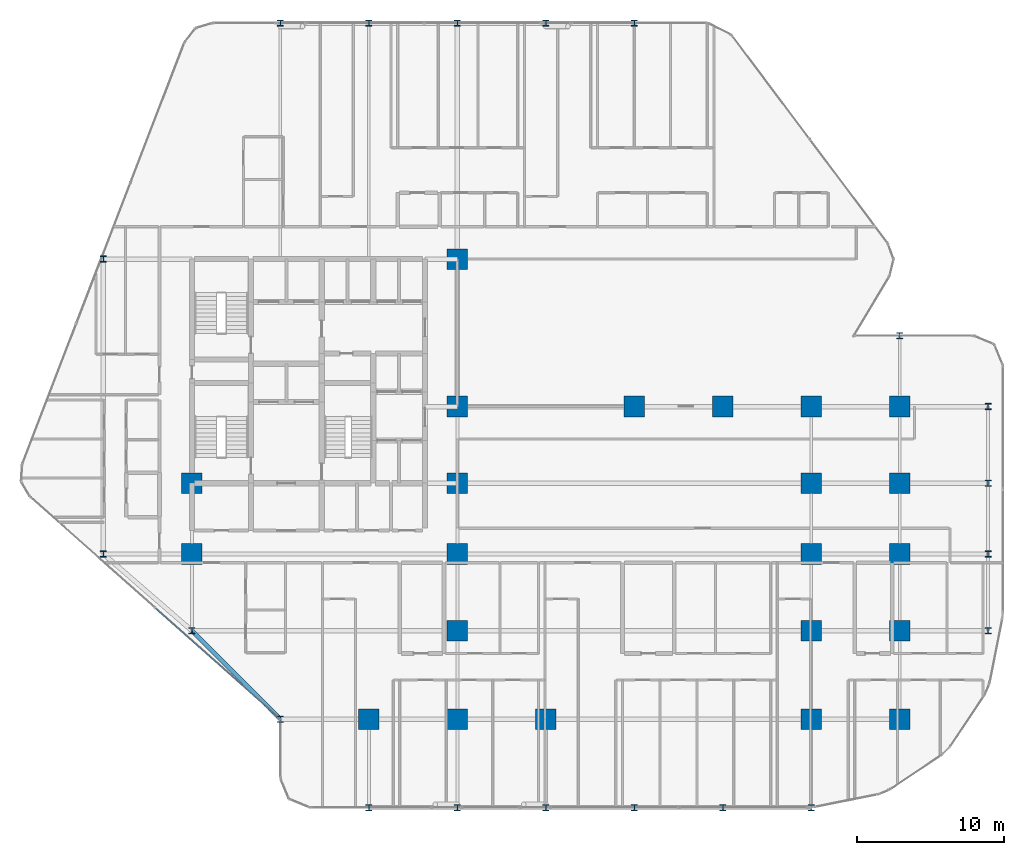
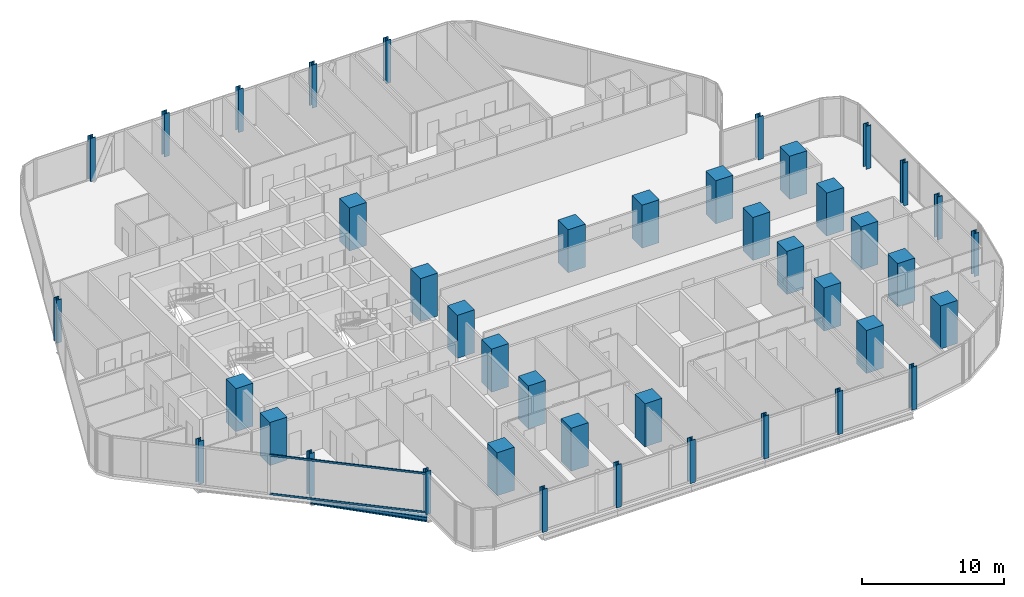
# One storey, part 1 of 33: 42 columns, 2 members, 1 beam, 1 element without a shape of its own.
"""IFC4 building model written with IfcOpenShell, lengths in metres."""

import ifcopenshell
import ifcopenshell.guid

model = None  # the IFC model being written
_history = None  # IfcOwnerHistory: only IFC2X3 demands one
_inside = {}  # id of a spatial element -> (the spatial element, [elements in it])
_under = {}  # id of a project, library or spatial element -> (it, [spatial elements below it])
_declared = {}  # id of a project -> (the project, [libraries it declares])
_typed = {}  # id of a type object -> (the type object, [elements of that type])
_made_of = {}  # id of a material, layer set ... -> (it, [elements and type objects made of it])


def new_model(schema):
    """Start an empty IFC model of exactly this schema.

    Asked for "IFC4X3", IfcOpenShell would pick the latest addendum, in which some entities
    have other attributes; the version numbers below select the first issue.
    IFC2X3 requires an IfcOwnerHistory on every rooted entity: one is made here for all.
    """
    global model, _history
    if schema == "IFC4X3":
        model = ifcopenshell.file(schema_version=(4, 3, 0, 0))
    else:
        model = ifcopenshell.file(schema=schema)
    _inside.clear()
    _under.clear()
    _declared.clear()
    _typed.clear()
    _made_of.clear()
    _history = None
    if model.schema == "IFC2X3":
        org = make("IfcOrganization", Name="unknown")
        user = make(
            "IfcPersonAndOrganization",
            ThePerson=make("IfcPerson", FamilyName="unknown"),
            TheOrganization=org,
        )
        app = make(
            "IfcApplication",
            ApplicationDeveloper=org,
            Version="unknown",
            ApplicationFullName="unknown",
            ApplicationIdentifier="unknown",
        )
        _history = make(
            "IfcOwnerHistory",
            OwningUser=user,
            OwningApplication=app,
            ChangeAction="ADDED",
            CreationDate=0,
        )
    return model


def make(cls, **values):
    """One entity of the class cls with the attributes given. An attribute that is None is left unset."""
    return model.create_entity(
        cls, **{name: value for name, value in values.items() if value is not None}
    )


def rooted(cls, **values):
    """An entity with a GlobalId (a new one), such as an element, a storey or a relation."""
    return make(cls, GlobalId=ifcopenshell.guid.new(), OwnerHistory=_history, **values)


def si_unit(unit_type, name, prefix=None):
    """IfcSIUnit, for example si_unit("LENGTHUNIT", "METRE", prefix="MILLI")."""
    return make("IfcSIUnit", UnitType=unit_type, Prefix=prefix, Name=name)


def assignment(units):
    """IfcUnitAssignment: the units of a project."""
    return None if units is None else make("IfcUnitAssignment", Units=units)


def point(xyz):
    """IfcCartesianPoint."""
    return None if xyz is None else make("IfcCartesianPoint", Coordinates=xyz)


def direction(xyz):
    """IfcDirection."""
    return None if xyz is None else make("IfcDirection", DirectionRatios=xyz)


def frame(location, z_axis=None, x_axis=None):
    """IfcAxis2Placement3D, a coordinate frame: its origin and axes. An axis left out is left unset."""
    return make(
        "IfcAxis2Placement3D",
        Location=point(location),
        Axis=direction(z_axis),
        RefDirection=direction(x_axis),
    )


def frame_2d(location, x_axis=None):
    """IfcAxis2Placement2D, a coordinate frame in the plane: its origin and x axis."""
    return make(
        "IfcAxis2Placement2D", Location=point(location), RefDirection=direction(x_axis)
    )


def origin():
    """The frame at (0, 0, 0) with its axes left unset."""
    return frame((0.0, 0.0, 0.0))


def origin_2d():
    """The frame at (0, 0) in the plane with its x axis left unset."""
    return frame_2d((0.0, 0.0))


def place(relative_to, where):
    """IfcLocalPlacement: puts the frame where relative to a parent placement (None: the world)."""
    return make(
        "IfcLocalPlacement", PlacementRelTo=relative_to, RelativePlacement=where
    )


def context(
    kind, dimensions, precision=None, world=None, true_north=None, identifier=None
):
    """IfcGeometricRepresentationContext, for example the 3D "Model" context."""
    return make(
        "IfcGeometricRepresentationContext",
        ContextIdentifier=identifier,
        ContextType=kind,
        CoordinateSpaceDimension=dimensions,
        Precision=precision,
        WorldCoordinateSystem=world,
        TrueNorth=true_north,
    )


def subcontext(parent, identifier, kind, view, scale=None):
    """IfcGeometricRepresentationSubContext, for example "Body" below "Model"."""
    return make(
        "IfcGeometricRepresentationSubContext",
        ContextIdentifier=identifier,
        ContextType=kind,
        ParentContext=parent,
        TargetScale=scale,
        TargetView=view,
    )


def project(units=None, contexts=None):
    """IfcProject with its units and contexts."""
    return rooted(
        "IfcProject",
        Name="project",
        RepresentationContexts=contexts,
        UnitsInContext=assignment(units),
    )


def spatial(cls, under=None, at=None, **own):
    """A site, building, storey or space (cls), placed at a placement, below another one or the project."""
    s = rooted(cls, ObjectPlacement=at, **own)
    if under is not None:
        _under.setdefault(under.id(), (under, []))[1].append(s)
    return s


def profile(cls, at=None, kind="AREA", **sizes):
    """A parametric profile (cls). Its sizes go by their IFC names, for example OverallWidth=200.0."""
    return make(cls, ProfileType=kind, Position=at, **sizes)


def rectangle(**sizes):
    """IfcRectangleProfileDef."""
    return profile("IfcRectangleProfileDef", **sizes)


def hollow_rectangle(**sizes):
    """IfcRectangleHollowProfileDef."""
    return profile("IfcRectangleHollowProfileDef", **sizes)


def i_section(**sizes):
    """IfcIShapeProfileDef."""
    return profile("IfcIShapeProfileDef", **sizes)


def extrude(swept, where, along, depth):
    """IfcExtrudedAreaSolid: the profile swept, set in the frame where, extruded along a direction by depth."""
    return make(
        "IfcExtrudedAreaSolid",
        SweptArea=swept,
        Position=where,
        ExtrudedDirection=direction(along),
        Depth=depth,
    )


def shape(context_of_items, identifier, shape_type, items):
    """IfcShapeRepresentation: the items that make up one representation, for example the "Body"."""
    return make(
        "IfcShapeRepresentation",
        ContextOfItems=context_of_items,
        RepresentationIdentifier=identifier,
        RepresentationType=shape_type,
        Items=items,
    )


def material(Name=None, Category=None):
    """IfcMaterial."""
    return make("IfcMaterial", Name=Name, Category=Category)


def layer(
    of_material, thickness, ventilated=None, Name=None, Category=None, Priority=None
):
    """IfcMaterialLayer: one layer of a wall or slab, of a material (None: an air gap)."""
    return make(
        "IfcMaterialLayer",
        Material=of_material,
        LayerThickness=thickness,
        IsVentilated=ventilated,
        Name=Name,
        Category=Category,
        Priority=Priority,
    )


def layer_set(layers, Name=None):
    """IfcMaterialLayerSet."""
    return make("IfcMaterialLayerSet", MaterialLayers=layers, LayerSetName=Name)


def material_profile(
    of_material, cross_section, Name=None, Category=None, Priority=None
):
    """IfcMaterialProfile: a cross section and its material."""
    return make(
        "IfcMaterialProfile",
        Name=Name,
        Material=of_material,
        Profile=cross_section,
        Priority=Priority,
        Category=Category,
    )


def profile_set(profiles, Name=None, composite=None):
    """IfcMaterialProfileSet."""
    return make(
        "IfcMaterialProfileSet",
        Name=Name,
        MaterialProfiles=profiles,
        CompositeProfile=composite,
    )


def made_of(thing, what):
    """Note that an element or type object is made of a material, layer set ...; save() writes the relation."""
    if what is not None:
        _made_of.setdefault(what.id(), (what, []))[1].append(thing)
    return thing


def type_object(cls, material=None, **own):
    """A type object (cls), such as IfcWallType, which elements share."""
    return made_of(rooted(cls, **own), material)


def element(
    cls,
    number,
    at=None,
    inside=None,
    cuts=None,
    type_object=None,
    material=None,
    context=None,
    identifier="Body",
    shape_type=None,
    held_by="IfcProductDefinitionShape",
    body=None,
    shapes=None,
    **own,
):
    """One element of the class cls, such as IfcWall. Its Tag is "e" and its number.

    at: its placement. inside: the storey or other place that contains it. cuts: it is an
    opening in that element (IfcRelVoidsElement). A single representation is given by context,
    identifier, shape_type and body (its items); several are given by shapes. held_by: the class
    of the entity that holds the representations. save() writes the other relations.
    """
    e = rooted(cls, Tag="e%d" % number, ObjectPlacement=at, **own)
    if body is not None:
        shapes = [shape(context, identifier, shape_type, body)]
    if shapes is not None:
        e.Representation = make(held_by, Representations=shapes)
    if inside is not None:
        _inside.setdefault(inside.id(), (inside, []))[1].append(e)
    if cuts is not None:
        rooted(
            "IfcRelVoidsElement", RelatingBuildingElement=cuts, RelatedOpeningElement=e
        )
    if type_object is not None:
        _typed.setdefault(type_object.id(), (type_object, []))[1].append(e)
    return made_of(e, material)


def aggregate(whole, parts):
    """IfcRelAggregates: a whole, such as a stair, and the parts it consists of."""
    return rooted("IfcRelAggregates", RelatingObject=whole, RelatedObjects=parts)


def save(model, path):
    """Write the relations noted so far, then the file.

    IfcRelAggregates (storeys below a building ...), IfcRelContainedInSpatialStructure (elements
    in a storey), IfcRelDefinesByType, IfcRelAssociatesMaterial and IfcRelDeclares: one each for
    every whole, place, type object, material and project.
    """
    for whole, parts in _under.values():
        aggregate(whole, parts)
    for where, things in _inside.values():
        rooted(
            "IfcRelContainedInSpatialStructure",
            RelatedElements=things,
            RelatingStructure=where,
        )
    for kind, things in _typed.values():
        rooted("IfcRelDefinesByType", RelatedObjects=things, RelatingType=kind)
    for what, things in _made_of.values():
        rooted("IfcRelAssociatesMaterial", RelatedObjects=things, RelatingMaterial=what)
    for by, libraries in _declared.values():
        rooted("IfcRelDeclares", RelatingContext=by, RelatedDefinitions=libraries)
    model.write(path)


model = new_model("IFC4")

# Units and contexts
model_context = context("Model", 3, precision=1e-05, world=origin(), true_north=direction((0.0, 1.0)))
body_context = subcontext(model_context, "Body", "Model", "MODEL_VIEW")
ifc_project = project(units=[si_unit("LENGTHUNIT", "METRE"), si_unit("AREAUNIT", "SQUARE_METRE"), si_unit("VOLUMEUNIT", "CUBIC_METRE"), si_unit("PLANEANGLEUNIT", "RADIAN"), si_unit("MASSUNIT", "GRAM", prefix="KILO")], contexts=[model_context])

# Site, building, storey
site_placement = place(None, origin())
site = spatial("IfcSite", under=ifc_project, at=site_placement, CompositionType="ELEMENT")
building_placement = place(site_placement, origin())
building = spatial("IfcBuilding", under=site, at=building_placement, Name="Keshet Zoharim Tower", CompositionType="ELEMENT")
storey_placement = place(building_placement, frame((0.0, 0.0, 27.699951171875)))
storey = spatial("IfcBuildingStorey", under=building, at=storey_placement, Name="L05", CompositionType="ELEMENT", Elevation=27.699951171875)

# Columns
ifc_material_1 = material(Name="Steel S355", Category="steel")
ifc_material_profile_1 = material_profile(ifc_material_1, i_section(OverallWidth=0.408935546875, OverallDepth=0.425048828125, WebThickness=0.031982421875, FlangeThickness=0.052490234375, FilletRadius=0.014892578125, at=origin_2d()), Name="HD400x421")
ifc_profile_set_1 = profile_set([ifc_material_profile_1], Name="Steel S355")
column_type_1 = type_object("IfcColumnType", Name="COL-HD421", PredefinedType="COLUMN", material=ifc_profile_set_1)
for number, where, z_axis, x_axis, name in (
    (1, (9.0, 17.89990234375, 0.0), (0.0, 0.0, 1.0), (1.0, 0.0, 0.0), "L05 Column 2D"),
    (2, (9.0, 37.89990234375, 0.0), (0.0, 0.0, 1.0), (1.0, 0.0, 0.0), "L05 Column 2H"),
    (3, (15.0, 12.699951171875, 0.0), (0.0, 0.0, 1.0), (1.0, 0.0, 0.0), "L05 Column 3C"),
    (4, (21.0, 6.699951171875, 0.0), (0.0, 0.0, 1.0), (1.0, 0.0, 0.0), "L05 Column 4B"),
    (5, (21.0, 53.89990234375, 0.0), (0.0, 0.0, 1.0), (1.0, 0.0, 0.0), "L05 Column 4L"),
    (6, (27.0, 0.699951171875, 0.0), (0.0, 0.0, 1.0), (1.0, 0.0, 0.0), "L05 Column 5A"),
    (7, (27.0, 53.89990234375, 0.0), (0.0, 0.0, 1.0), (1.0, 0.0, 0.0), "L05 Column 5L"),
    (8, (33.0, 0.699951171875, 0.0), (0.0, 0.0, 1.0), (1.0, 0.0, 0.0), "L05 Column 6A"),
    (9, (33.0, 53.89990234375, 0.0), (0.0, 0.0, 1.0), (1.0, 0.0, 0.0), "L05 Column 6L"),
    (10, (39.0, 0.699951171875, 0.0), (0.0, 0.0, 1.0), (1.0, 0.0, 0.0), "L05 Column 7A"),
    (11, (39.0, 53.89990234375, 0.0), (0.0, 0.0, 1.0), (1.0, 0.0, 0.0), "L05 Column 7L"),
    (12, (45.0, 0.699951171875, 0.0), (0.0, 0.0, 1.0), (1.0, 0.0, 0.0), "L05 Column 8A"),
    (13, (45.0, 53.89990234375, 0.0), (0.0, 0.0, 1.0), (1.0, 0.0, 0.0), "L05 Column 8L"),
    (14, (51.0, 0.699951171875, 0.0), (0.0, 0.0, 1.0), (1.0, 0.0, 0.0), "L05 Column 9A"),
    (15, (57.0, 0.699951171875, 0.0), (0.0, 0.0, 1.0), (1.0, 0.0, 0.0), "L05 Column 10A"),
    (16, (63.0, 32.699951171875, 0.0), (0.0, 0.0, 1.0), (1.0, 0.0, 0.0), "L05 Column 11G"),
    (17, (69.0, 12.699951171875, 0.0), (0.0, 0.0, 1.0), (1.0, 0.0, 0.0), "L05 Column 12C"),
    (18, (69.0, 17.89990234375, 0.0), (0.0, 0.0, 1.0), (1.0, 0.0, 0.0), "L05 Column 12D"),
    (19, (69.0, 22.699951171875, 0.0), (0.0, 0.0, 1.0), (1.0, 0.0, 0.0), "L05 Column 12E"),
    (20, (69.0, 27.89990234375, 0.0), (0.0, 0.0, 1.0), (1.0, 0.0, 0.0), "L05 Column 12F"),
):
    element("IfcColumn", number, at=place(storey_placement, frame(where, z_axis=z_axis, x_axis=x_axis)), inside=storey, type_object=column_type_1, Name=name, PredefinedType="COLUMN", context=body_context, shape_type="SweptSolid", body=[
        extrude(i_section(OverallWidth=0.408935546875, OverallDepth=0.425048828125, WebThickness=0.031982421875, FlangeThickness=0.052490234375, FilletRadius=0.014892578125, at=origin_2d()), origin(), (0.0, 0.0, 1.0), 3.699951171875),
    ])
ifc_material_2 = material(Name="Concrete C60/75", Category="concrete")
ifc_material_profile_2 = material_profile(ifc_material_2, rectangle(XDim=1.39990234375, YDim=1.39990234375, at=origin_2d()), Name="RC1400x1400")
ifc_profile_set_2 = profile_set([ifc_material_profile_2], Name="Concrete C60/75")
column_type_2 = type_object("IfcColumnType", Name="COL-RC1400", PredefinedType="COLUMN", material=ifc_profile_set_2)
for number, where, z_axis, x_axis, name in (
    (21, (15.0, 17.89990234375, 0.0), (0.0, 0.0, 1.0), (1.0, 0.0, 0.0), "L05 Column 3D"),
    (22, (15.0, 22.699951171875, 0.0), (0.0, 0.0, 1.0), (1.0, 0.0, 0.0), "L05 Column 3E"),
    (23, (27.0, 6.699951171875, 0.0), (0.0, 0.0, 1.0), (1.0, 0.0, 0.0), "L05 Column 5B"),
    (24, (33.0, 6.699951171875, 0.0), (0.0, 0.0, 1.0), (1.0, 0.0, 0.0), "L05 Column 6B"),
    (25, (33.0, 12.699951171875, 0.0), (0.0, 0.0, 1.0), (1.0, 0.0, 0.0), "L05 Column 6C"),
    (26, (33.0, 17.89990234375, 0.0), (0.0, 0.0, 1.0), (1.0, 0.0, 0.0), "L05 Column 6D"),
    (27, (33.0, 22.699951171875, 0.0), (0.0, 0.0, 1.0), (1.0, 0.0, 0.0), "L05 Column 6E"),
    (28, (33.0, 27.89990234375, 0.0), (0.0, 0.0, 1.0), (1.0, 0.0, 0.0), "L05 Column 6F"),
    (29, (33.0, 37.89990234375, 0.0), (0.0, 0.0, 1.0), (1.0, 0.0, 0.0), "L05 Column 6H"),
    (30, (39.0, 6.699951171875, 0.0), (0.0, 0.0, 1.0), (1.0, 0.0, 0.0), "L05 Column 7B"),
    (31, (45.0, 27.89990234375, 0.0), (0.0, 0.0, 1.0), (1.0, 0.0, 0.0), "L05 Column 8F"),
    (32, (51.0, 27.89990234375, 0.0), (0.0, 0.0, 1.0), (1.0, 0.0, 0.0), "L05 Column 9F"),
    (33, (57.0, 6.699951171875, 0.0), (0.0, 0.0, 1.0), (1.0, 0.0, 0.0), "L05 Column 10B"),
    (34, (57.0, 12.699951171875, 0.0), (0.0, 0.0, 1.0), (1.0, 0.0, 0.0), "L05 Column 10C"),
    (35, (57.0, 17.89990234375, 0.0), (0.0, 0.0, 1.0), (1.0, 0.0, 0.0), "L05 Column 10D"),
    (36, (57.0, 22.699951171875, 0.0), (0.0, 0.0, 1.0), (1.0, 0.0, 0.0), "L05 Column 10E"),
    (37, (57.0, 27.89990234375, 0.0), (0.0, 0.0, 1.0), (1.0, 0.0, 0.0), "L05 Column 10F"),
    (38, (63.0, 6.699951171875, 0.0), (0.0, 0.0, 1.0), (1.0, 0.0, 0.0), "L05 Column 11B"),
    (39, (63.0, 12.699951171875, 0.0), (0.0, 0.0, 1.0), (1.0, 0.0, 0.0), "L05 Column 11C"),
    (40, (63.0, 17.89990234375, 0.0), (0.0, 0.0, 1.0), (1.0, 0.0, 0.0), "L05 Column 11D"),
    (41, (63.0, 22.699951171875, 0.0), (0.0, 0.0, 1.0), (1.0, 0.0, 0.0), "L05 Column 11E"),
    (42, (63.0, 27.89990234375, 0.0), (0.0, 0.0, 1.0), (1.0, 0.0, 0.0), "L05 Column 11F"),
):
    element("IfcColumn", number, at=place(storey_placement, frame(where, z_axis=z_axis, x_axis=x_axis)), inside=storey, type_object=column_type_2, Name=name, PredefinedType="COLUMN", context=body_context, shape_type="SweptSolid", body=[
        extrude(rectangle(XDim=1.39990234375, YDim=1.39990234375, at=origin_2d()), origin(), (0.0, 0.0, 1.0), 3.699951171875),
    ])

# Beam
ifc_material_profile_3 = material_profile(ifc_material_1, i_section(OverallWidth=0.300048828125, OverallDepth=0.39990234375, WebThickness=0.013427734375, FlangeThickness=0.02392578125, FilletRadius=0.027099609375, at=origin_2d()), Name="HEB400")
ifc_profile_set_3 = profile_set([ifc_material_profile_3], Name="Steel S355")
beam_type = type_object("IfcBeamType", Name="BM-SPN-HB400", PredefinedType="SPANDREL", material=ifc_profile_set_3)
beam_placement = place(storey_placement, frame((21.0, 6.699951171875, -0.514892578125), z_axis=(-0.707106781187, 0.707106781187, 0.0), x_axis=(-0.707106781187, -0.707106781187, 0.0)))
element("IfcBeam", 43, at=beam_placement, inside=storey, type_object=beam_type, Name="L05 Perimeter Spandrel Beam 01", PredefinedType="SPANDREL", context=body_context, shape_type="SweptSolid", body=[
    extrude(i_section(OverallWidth=0.300048828125, OverallDepth=0.39990234375, WebThickness=0.013427734375, FlangeThickness=0.02392578125, FilletRadius=0.027099609375, at=origin_2d()), origin(), (0.0, 0.0, 1.0), 8.4853515625),
])

# Curtain wall, members
ifc_material_3 = material(Name="Aluminium 6063-T6", Category="aluminium")
ifc_layer = layer(ifc_material_3, 0.179931640625)
ifc_layer_set = layer_set([ifc_layer], Name="Aluminium 6063-T6")
curtain_wall_type = type_object("IfcCurtainWallType", Name="CW-SYS-01", PredefinedType="NOTDEFINED", material=ifc_layer_set)
curtain_wall_placement = place(storey_placement, origin())
curtain_wall = element("IfcCurtainWall", 44, at=curtain_wall_placement, inside=storey, type_object=curtain_wall_type, Name="L05 Unitised Curtain Wall 01", PredefinedType="NOTDEFINED")
ifc_material_profile_4 = material_profile(ifc_material_3, hollow_rectangle(XDim=0.0849609375, YDim=0.159912109375, WallThickness=0.00439453125, at=origin_2d()), Name="TRN-85x160")
ifc_profile_set_4 = profile_set([ifc_material_profile_4], Name="Aluminium 6063-T6")
member_type = type_object("IfcMemberType", Name="CWT-T16", PredefinedType="USERDEFINED", material=ifc_profile_set_4)
member_1_placement = place(storey_placement, frame((20.94775390625, 6.74658203125, 0.03515625), z_axis=(-0.747411714548, 0.664361143472, 0.0), x_axis=(-0.664361143472, -0.747411714548, 0.0)))
member_1 = element("IfcMember", 45, at=member_1_placement, type_object=member_type, Name="CW-01 transom 1.1", ObjectType="TRANSOM", PredefinedType="USERDEFINED", context=body_context, shape_type="SweptSolid", body=[
    extrude(hollow_rectangle(XDim=0.0849609375, YDim=0.159912109375, WallThickness=0.00439453125, at=origin_2d()), origin(), (0.0, 0.0, 1.0), 11.244140625),
])
member_2_placement = place(storey_placement, frame((20.94775390625, 6.74658203125, 3.35009765625), z_axis=(-0.747411714548, 0.664361143472, 0.0), x_axis=(-0.664361143472, -0.747411714548, 0.0)))
member_2 = element("IfcMember", 46, at=member_2_placement, type_object=member_type, Name="CW-01 transom 1.2", ObjectType="TRANSOM", PredefinedType="USERDEFINED", context=body_context, shape_type="SweptSolid", body=[
    extrude(hollow_rectangle(XDim=0.0849609375, YDim=0.159912109375, WallThickness=0.00439453125, at=origin_2d()), origin(), (0.0, 0.0, 1.0), 11.244140625),
])
aggregate(curtain_wall, [member_1, member_2])

save(model, "model.ifc")
